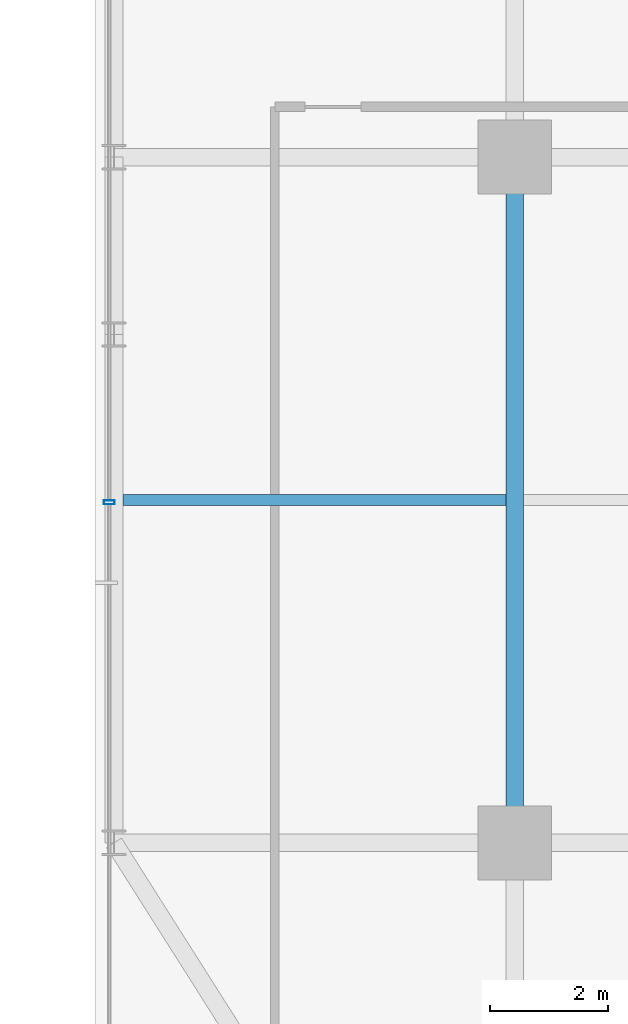
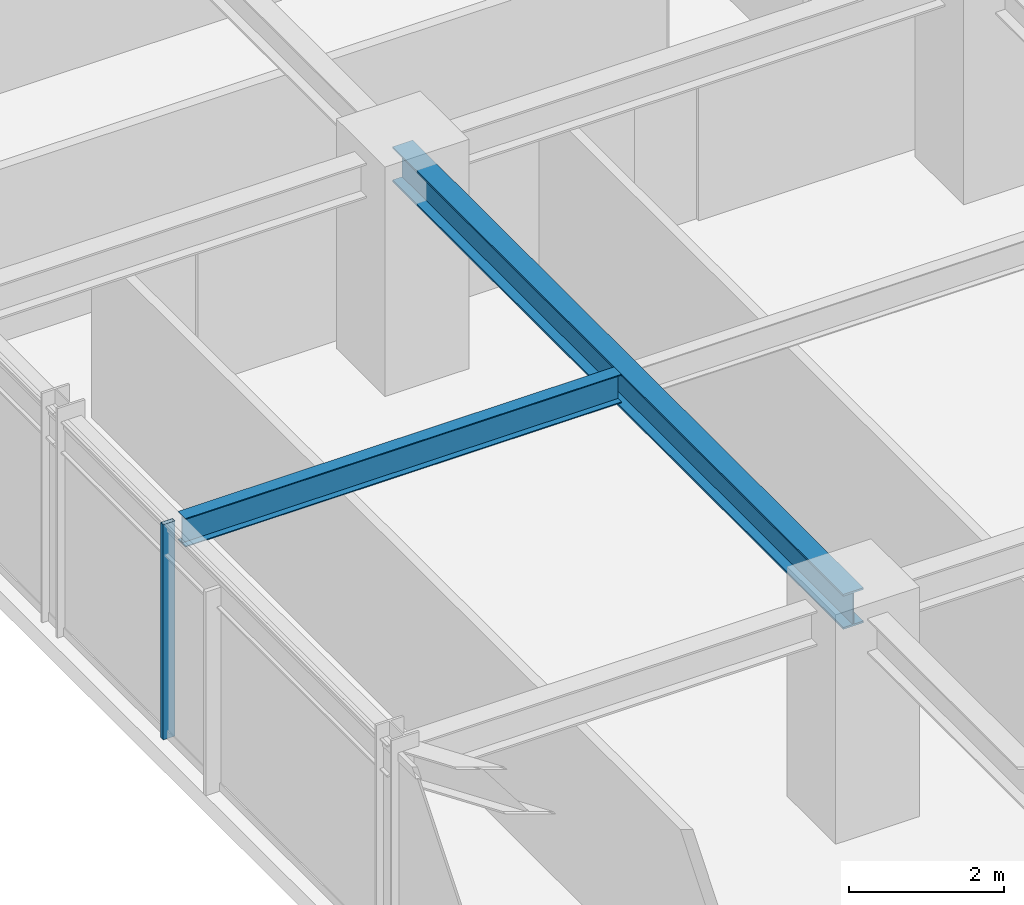
# One storey, part 4 of 35: 2 beams, 1 member, 1 element without a shape of its own.
"""IFC4 building model written with IfcOpenShell, lengths in metres."""

import ifcopenshell
import ifcopenshell.guid

model = None  # the IFC model being written
_history = None  # IfcOwnerHistory: only IFC2X3 demands one
_inside = {}  # id of a spatial element -> (the spatial element, [elements in it])
_under = {}  # id of a project, library or spatial element -> (it, [spatial elements below it])
_declared = {}  # id of a project -> (the project, [libraries it declares])
_typed = {}  # id of a type object -> (the type object, [elements of that type])
_made_of = {}  # id of a material, layer set ... -> (it, [elements and type objects made of it])


def new_model(schema):
    """Start an empty IFC model of exactly this schema.

    Asked for "IFC4X3", IfcOpenShell would pick the latest addendum, in which some entities
    have other attributes; the version numbers below select the first issue.
    IFC2X3 requires an IfcOwnerHistory on every rooted entity: one is made here for all.
    """
    global model, _history
    if schema == "IFC4X3":
        model = ifcopenshell.file(schema_version=(4, 3, 0, 0))
    else:
        model = ifcopenshell.file(schema=schema)
    _inside.clear()
    _under.clear()
    _declared.clear()
    _typed.clear()
    _made_of.clear()
    _history = None
    if model.schema == "IFC2X3":
        org = make("IfcOrganization", Name="unknown")
        user = make(
            "IfcPersonAndOrganization",
            ThePerson=make("IfcPerson", FamilyName="unknown"),
            TheOrganization=org,
        )
        app = make(
            "IfcApplication",
            ApplicationDeveloper=org,
            Version="unknown",
            ApplicationFullName="unknown",
            ApplicationIdentifier="unknown",
        )
        _history = make(
            "IfcOwnerHistory",
            OwningUser=user,
            OwningApplication=app,
            ChangeAction="ADDED",
            CreationDate=0,
        )
    return model


def make(cls, **values):
    """One entity of the class cls with the attributes given. An attribute that is None is left unset."""
    return model.create_entity(
        cls, **{name: value for name, value in values.items() if value is not None}
    )


def rooted(cls, **values):
    """An entity with a GlobalId (a new one), such as an element, a storey or a relation."""
    return make(cls, GlobalId=ifcopenshell.guid.new(), OwnerHistory=_history, **values)


def si_unit(unit_type, name, prefix=None):
    """IfcSIUnit, for example si_unit("LENGTHUNIT", "METRE", prefix="MILLI")."""
    return make("IfcSIUnit", UnitType=unit_type, Prefix=prefix, Name=name)


def assignment(units):
    """IfcUnitAssignment: the units of a project."""
    return None if units is None else make("IfcUnitAssignment", Units=units)


def point(xyz):
    """IfcCartesianPoint."""
    return None if xyz is None else make("IfcCartesianPoint", Coordinates=xyz)


def direction(xyz):
    """IfcDirection."""
    return None if xyz is None else make("IfcDirection", DirectionRatios=xyz)


def frame(location, z_axis=None, x_axis=None):
    """IfcAxis2Placement3D, a coordinate frame: its origin and axes. An axis left out is left unset."""
    return make(
        "IfcAxis2Placement3D",
        Location=point(location),
        Axis=direction(z_axis),
        RefDirection=direction(x_axis),
    )


def frame_2d(location, x_axis=None):
    """IfcAxis2Placement2D, a coordinate frame in the plane: its origin and x axis."""
    return make(
        "IfcAxis2Placement2D", Location=point(location), RefDirection=direction(x_axis)
    )


def origin():
    """The frame at (0, 0, 0) with its axes left unset."""
    return frame((0.0, 0.0, 0.0))


def origin_2d():
    """The frame at (0, 0) in the plane with its x axis left unset."""
    return frame_2d((0.0, 0.0))


def place(relative_to, where):
    """IfcLocalPlacement: puts the frame where relative to a parent placement (None: the world)."""
    return make(
        "IfcLocalPlacement", PlacementRelTo=relative_to, RelativePlacement=where
    )


def context(
    kind, dimensions, precision=None, world=None, true_north=None, identifier=None
):
    """IfcGeometricRepresentationContext, for example the 3D "Model" context."""
    return make(
        "IfcGeometricRepresentationContext",
        ContextIdentifier=identifier,
        ContextType=kind,
        CoordinateSpaceDimension=dimensions,
        Precision=precision,
        WorldCoordinateSystem=world,
        TrueNorth=true_north,
    )


def subcontext(parent, identifier, kind, view, scale=None):
    """IfcGeometricRepresentationSubContext, for example "Body" below "Model"."""
    return make(
        "IfcGeometricRepresentationSubContext",
        ContextIdentifier=identifier,
        ContextType=kind,
        ParentContext=parent,
        TargetScale=scale,
        TargetView=view,
    )


def project(units=None, contexts=None):
    """IfcProject with its units and contexts."""
    return rooted(
        "IfcProject",
        Name="project",
        RepresentationContexts=contexts,
        UnitsInContext=assignment(units),
    )


def spatial(cls, under=None, at=None, **own):
    """A site, building, storey or space (cls), placed at a placement, below another one or the project."""
    s = rooted(cls, ObjectPlacement=at, **own)
    if under is not None:
        _under.setdefault(under.id(), (under, []))[1].append(s)
    return s


def profile(cls, at=None, kind="AREA", **sizes):
    """A parametric profile (cls). Its sizes go by their IFC names, for example OverallWidth=200.0."""
    return make(cls, ProfileType=kind, Position=at, **sizes)


def hollow_rectangle(**sizes):
    """IfcRectangleHollowProfileDef."""
    return profile("IfcRectangleHollowProfileDef", **sizes)


def i_section(**sizes):
    """IfcIShapeProfileDef."""
    return profile("IfcIShapeProfileDef", **sizes)


def extrude(swept, where, along, depth):
    """IfcExtrudedAreaSolid: the profile swept, set in the frame where, extruded along a direction by depth."""
    return make(
        "IfcExtrudedAreaSolid",
        SweptArea=swept,
        Position=where,
        ExtrudedDirection=direction(along),
        Depth=depth,
    )


def shape(context_of_items, identifier, shape_type, items):
    """IfcShapeRepresentation: the items that make up one representation, for example the "Body"."""
    return make(
        "IfcShapeRepresentation",
        ContextOfItems=context_of_items,
        RepresentationIdentifier=identifier,
        RepresentationType=shape_type,
        Items=items,
    )


def source(mapping_origin, context_of_items, identifier, shape_type, items):
    """IfcRepresentationMap: a shape defined once, which mapped items show again and again."""
    return make(
        "IfcRepresentationMap",
        MappingOrigin=mapping_origin,
        MappedRepresentation=shape(context_of_items, identifier, shape_type, items),
    )


def transform(
    local_origin,
    x_axis=None,
    y_axis=None,
    z_axis=None,
    scale=None,
    scale2=None,
    scale3=None,
    uniform=True,
):
    """IfcCartesianTransformationOperator3D, or its non-uniform kind. x_axis, y_axis, z_axis: its Axis1, 2, 3."""
    if uniform:
        return make(
            "IfcCartesianTransformationOperator3D",
            Axis1=direction(x_axis),
            Axis2=direction(y_axis),
            LocalOrigin=point(local_origin),
            Scale=scale,
            Axis3=direction(z_axis),
        )
    return make(
        "IfcCartesianTransformationOperator3DnonUniform",
        Axis1=direction(x_axis),
        Axis2=direction(y_axis),
        LocalOrigin=point(local_origin),
        Scale=scale,
        Axis3=direction(z_axis),
        Scale2=scale2,
        Scale3=scale3,
    )


def mapped(mapping_source, mapping_target):
    """IfcMappedItem: shows the shape of a source again, moved by a transform."""
    return make(
        "IfcMappedItem", MappingSource=mapping_source, MappingTarget=mapping_target
    )


def material(Name=None, Category=None):
    """IfcMaterial."""
    return make("IfcMaterial", Name=Name, Category=Category)


def material_profile(
    of_material, cross_section, Name=None, Category=None, Priority=None
):
    """IfcMaterialProfile: a cross section and its material."""
    return make(
        "IfcMaterialProfile",
        Name=Name,
        Material=of_material,
        Profile=cross_section,
        Priority=Priority,
        Category=Category,
    )


def profile_set(profiles, Name=None, composite=None):
    """IfcMaterialProfileSet."""
    return make(
        "IfcMaterialProfileSet",
        Name=Name,
        MaterialProfiles=profiles,
        CompositeProfile=composite,
    )


def made_of(thing, what):
    """Note that an element or type object is made of a material, layer set ...; save() writes the relation."""
    if what is not None:
        _made_of.setdefault(what.id(), (what, []))[1].append(thing)
    return thing


def type_object(cls, material=None, **own):
    """A type object (cls), such as IfcWallType, which elements share."""
    return made_of(rooted(cls, **own), material)


def element(
    cls,
    number,
    at=None,
    inside=None,
    cuts=None,
    type_object=None,
    material=None,
    context=None,
    identifier="Body",
    shape_type=None,
    held_by="IfcProductDefinitionShape",
    body=None,
    shapes=None,
    **own,
):
    """One element of the class cls, such as IfcWall. Its Tag is "e" and its number.

    at: its placement. inside: the storey or other place that contains it. cuts: it is an
    opening in that element (IfcRelVoidsElement). A single representation is given by context,
    identifier, shape_type and body (its items); several are given by shapes. held_by: the class
    of the entity that holds the representations. save() writes the other relations.
    """
    e = rooted(cls, Tag="e%d" % number, ObjectPlacement=at, **own)
    if body is not None:
        shapes = [shape(context, identifier, shape_type, body)]
    if shapes is not None:
        e.Representation = make(held_by, Representations=shapes)
    if inside is not None:
        _inside.setdefault(inside.id(), (inside, []))[1].append(e)
    if cuts is not None:
        rooted(
            "IfcRelVoidsElement", RelatingBuildingElement=cuts, RelatedOpeningElement=e
        )
    if type_object is not None:
        _typed.setdefault(type_object.id(), (type_object, []))[1].append(e)
    return made_of(e, material)


def aggregate(whole, parts):
    """IfcRelAggregates: a whole, such as a stair, and the parts it consists of."""
    return rooted("IfcRelAggregates", RelatingObject=whole, RelatedObjects=parts)


def save(model, path):
    """Write the relations noted so far, then the file.

    IfcRelAggregates (storeys below a building ...), IfcRelContainedInSpatialStructure (elements
    in a storey), IfcRelDefinesByType, IfcRelAssociatesMaterial and IfcRelDeclares: one each for
    every whole, place, type object, material and project.
    """
    for whole, parts in _under.values():
        aggregate(whole, parts)
    for where, things in _inside.values():
        rooted(
            "IfcRelContainedInSpatialStructure",
            RelatedElements=things,
            RelatingStructure=where,
        )
    for kind, things in _typed.values():
        rooted("IfcRelDefinesByType", RelatedObjects=things, RelatingType=kind)
    for what, things in _made_of.values():
        rooted("IfcRelAssociatesMaterial", RelatedObjects=things, RelatingMaterial=what)
    for by, libraries in _declared.values():
        rooted("IfcRelDeclares", RelatingContext=by, RelatedDefinitions=libraries)
    model.write(path)


model = new_model("IFC4")

# Units and contexts
model_context = context("Model", 3, precision=1e-05, world=origin(), true_north=direction((0.0, 1.0)))
body_context = subcontext(model_context, "Body", "Model", "MODEL_VIEW")
ifc_project = project(units=[si_unit("LENGTHUNIT", "METRE"), si_unit("AREAUNIT", "SQUARE_METRE"), si_unit("VOLUMEUNIT", "CUBIC_METRE"), si_unit("PLANEANGLEUNIT", "RADIAN"), si_unit("MASSUNIT", "GRAM", prefix="KILO")], contexts=[model_context])

# Site, building, storey
site_placement = place(None, origin())
site = spatial("IfcSite", under=ifc_project, at=site_placement, CompositionType="ELEMENT")
building_placement = place(site_placement, origin())
building = spatial("IfcBuilding", under=site, at=building_placement, Name="Nahalor Promenade Grand Hotel", CompositionType="ELEMENT")
storey_placement = place(building_placement, frame((0.0, 0.0, 121.14990234375)))
storey = spatial("IfcBuildingStorey", under=building, at=storey_placement, Name="L30", CompositionType="ELEMENT", Elevation=121.14990234375)

# Beams
ifc_material_1 = material(Name="Steel S355JR", Category="steel")
ifc_material_profile_1 = material_profile(ifc_material_1, i_section(OverallWidth=0.3, OverallDepth=0.55, WebThickness=0.015, FlangeThickness=0.029, at=origin_2d()), Name="HEB 550")
ifc_profile_set_1 = profile_set([ifc_material_profile_1], Name="Steel S355JR")
beam_type_1 = type_object("IfcBeamType", Name="Beam-Girder-HEB550", PredefinedType="BEAM", material=ifc_profile_set_1)
shared_shape_1 = source(origin(), body_context, "Body", "SweptSolid", [
    extrude(i_section(OverallWidth=0.3, OverallDepth=0.55, WebThickness=0.015, FlangeThickness=0.029, at=origin_2d()), origin(), (0.0, 0.0, 1.0), 11.60009765625),
])
beam_1_placement = place(storey_placement, frame((-17.0, -17.0, 3.10498046875), z_axis=(0.0, 1.0, 0.0), x_axis=(-1.0, 0.0, 0.0)))
element("IfcBeam", 1, at=beam_1_placement, inside=storey, type_object=beam_type_1, Name="BM-L30-GY-0-1", PredefinedType="BEAM", context=body_context, shape_type="MappedRepresentation", body=[
    mapped(shared_shape_1, transform((0.0, 0.0, 0.0), scale=1.0)),
])
ifc_material_profile_2 = material_profile(ifc_material_1, i_section(OverallWidth=0.19, OverallDepth=0.45, WebThickness=0.0094, FlangeThickness=0.0146, at=origin_2d()), Name="IPE 450")
ifc_profile_set_2 = profile_set([ifc_material_profile_2], Name="Steel S355JR")
beam_type_2 = type_object("IfcBeamType", Name="Beam-Joist-IPE450", PredefinedType="JOIST", material=ifc_profile_set_2)
shared_shape_2 = source(origin(), body_context, "Body", "SweptSolid", [
    extrude(i_section(OverallWidth=0.19, OverallDepth=0.45, WebThickness=0.0094, FlangeThickness=0.0146, at=origin_2d()), origin(), (0.0, 0.0, 1.0), 6.47998046875),
])
beam_2_placement = place(storey_placement, frame((-23.6298828125, -11.199951171875, 3.155029296875), z_axis=(1.0, 0.0, 0.0), x_axis=(0.0, 1.0, 0.0)))
element("IfcBeam", 2, at=beam_2_placement, inside=storey, type_object=beam_type_2, Name="BM-L30-JSW-0-0", PredefinedType="JOIST", context=body_context, shape_type="MappedRepresentation", body=[
    mapped(shared_shape_2, transform((0.0, 0.0, 0.0), scale=1.0)),
])

# Curtain wall, member
ifc_material_2 = material(Name="Anodised Bronze Aluminium EN AW-6063 T6", Category="aluminium")
curtain_wall_type = type_object("IfcCurtainWallType", Name="CW2 Typical Hotel Flush Bronze Unitised Curtain Wall", PredefinedType="USERDEFINED", material=ifc_material_2)
curtain_wall_placement = place(storey_placement, origin())
curtain_wall = element("IfcCurtainWall", 3, at=curtain_wall_placement, inside=storey, type_object=curtain_wall_type, Name="L30 Curtain Wall CW-L30-W-1", ObjectType="UNITISED_CURTAIN_WALL", PredefinedType="USERDEFINED")
ifc_material_profile_3 = material_profile(ifc_material_2, hollow_rectangle(XDim=0.065, YDim=0.18, WallThickness=0.004, at=origin_2d()), Name="CWM 65x180x4")
ifc_profile_set_3 = profile_set([ifc_material_profile_3], Name="Anodised Bronze Aluminium EN AW-6063 T6")
member_type = type_object("IfcMemberType", Name="CWM2 Typical Bronze Mullion 65x180", PredefinedType="MULLION", material=ifc_profile_set_3)
shared_shape_3 = source(origin(), body_context, "Body", "SweptSolid", [
    extrude(hollow_rectangle(XDim=0.065, YDim=0.18, WallThickness=0.004, at=origin_2d()), origin(), (0.0, 0.0, 1.0), 3.380126953125),
])
member_placement = place(storey_placement, frame((-23.860107421875, -11.239990234375, 0.0), z_axis=(0.0, 0.0, 1.0), x_axis=(0.0, 1.0, 0.0)))
member = element("IfcMember", 4, at=member_placement, type_object=member_type, Name="CW-L30-W-1 Mullion 1", PredefinedType="MULLION", context=body_context, shape_type="MappedRepresentation", body=[
    mapped(shared_shape_3, transform((0.0, 0.0, 0.0), scale=1.0)),
])
aggregate(curtain_wall, [member])

save(model, "model.ifc")
